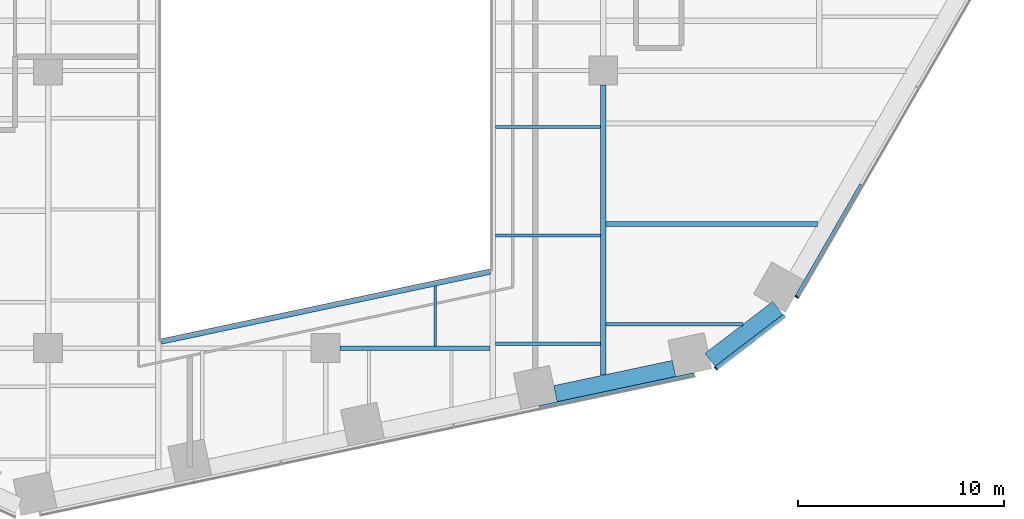
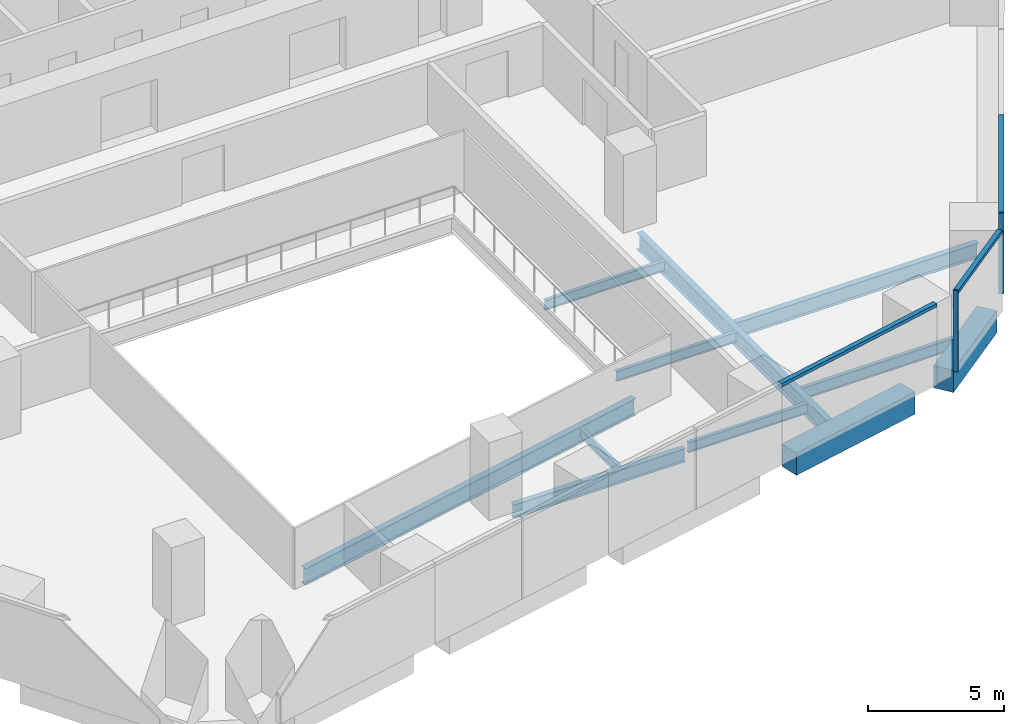
# One storey, part 5 of 21: 11 beams, 5 members, 3 elements without a shape of their own.
"""IFC4 building model written with IfcOpenShell, lengths in metres."""

import ifcopenshell
import ifcopenshell.guid

model = None  # the IFC model being written
_history = None  # IfcOwnerHistory: only IFC2X3 demands one
_inside = {}  # id of a spatial element -> (the spatial element, [elements in it])
_under = {}  # id of a project, library or spatial element -> (it, [spatial elements below it])
_declared = {}  # id of a project -> (the project, [libraries it declares])
_typed = {}  # id of a type object -> (the type object, [elements of that type])
_made_of = {}  # id of a material, layer set ... -> (it, [elements and type objects made of it])


def new_model(schema):
    """Start an empty IFC model of exactly this schema.

    Asked for "IFC4X3", IfcOpenShell would pick the latest addendum, in which some entities
    have other attributes; the version numbers below select the first issue.
    IFC2X3 requires an IfcOwnerHistory on every rooted entity: one is made here for all.
    """
    global model, _history
    if schema == "IFC4X3":
        model = ifcopenshell.file(schema_version=(4, 3, 0, 0))
    else:
        model = ifcopenshell.file(schema=schema)
    _inside.clear()
    _under.clear()
    _declared.clear()
    _typed.clear()
    _made_of.clear()
    _history = None
    if model.schema == "IFC2X3":
        org = make("IfcOrganization", Name="unknown")
        user = make(
            "IfcPersonAndOrganization",
            ThePerson=make("IfcPerson", FamilyName="unknown"),
            TheOrganization=org,
        )
        app = make(
            "IfcApplication",
            ApplicationDeveloper=org,
            Version="unknown",
            ApplicationFullName="unknown",
            ApplicationIdentifier="unknown",
        )
        _history = make(
            "IfcOwnerHistory",
            OwningUser=user,
            OwningApplication=app,
            ChangeAction="ADDED",
            CreationDate=0,
        )
    return model


def make(cls, **values):
    """One entity of the class cls with the attributes given. An attribute that is None is left unset."""
    return model.create_entity(
        cls, **{name: value for name, value in values.items() if value is not None}
    )


def rooted(cls, **values):
    """An entity with a GlobalId (a new one), such as an element, a storey or a relation."""
    return make(cls, GlobalId=ifcopenshell.guid.new(), OwnerHistory=_history, **values)


def si_unit(unit_type, name, prefix=None):
    """IfcSIUnit, for example si_unit("LENGTHUNIT", "METRE", prefix="MILLI")."""
    return make("IfcSIUnit", UnitType=unit_type, Prefix=prefix, Name=name)


def assignment(units):
    """IfcUnitAssignment: the units of a project."""
    return None if units is None else make("IfcUnitAssignment", Units=units)


def point(xyz):
    """IfcCartesianPoint."""
    return None if xyz is None else make("IfcCartesianPoint", Coordinates=xyz)


def direction(xyz):
    """IfcDirection."""
    return None if xyz is None else make("IfcDirection", DirectionRatios=xyz)


def frame(location, z_axis=None, x_axis=None):
    """IfcAxis2Placement3D, a coordinate frame: its origin and axes. An axis left out is left unset."""
    return make(
        "IfcAxis2Placement3D",
        Location=point(location),
        Axis=direction(z_axis),
        RefDirection=direction(x_axis),
    )


def frame_2d(location, x_axis=None):
    """IfcAxis2Placement2D, a coordinate frame in the plane: its origin and x axis."""
    return make(
        "IfcAxis2Placement2D", Location=point(location), RefDirection=direction(x_axis)
    )


def origin():
    """The frame at (0, 0, 0) with its axes left unset."""
    return frame((0.0, 0.0, 0.0))


def origin_2d():
    """The frame at (0, 0) in the plane with its x axis left unset."""
    return frame_2d((0.0, 0.0))


def place(relative_to, where):
    """IfcLocalPlacement: puts the frame where relative to a parent placement (None: the world)."""
    return make(
        "IfcLocalPlacement", PlacementRelTo=relative_to, RelativePlacement=where
    )


def context(
    kind, dimensions, precision=None, world=None, true_north=None, identifier=None
):
    """IfcGeometricRepresentationContext, for example the 3D "Model" context."""
    return make(
        "IfcGeometricRepresentationContext",
        ContextIdentifier=identifier,
        ContextType=kind,
        CoordinateSpaceDimension=dimensions,
        Precision=precision,
        WorldCoordinateSystem=world,
        TrueNorth=true_north,
    )


def subcontext(parent, identifier, kind, view, scale=None):
    """IfcGeometricRepresentationSubContext, for example "Body" below "Model"."""
    return make(
        "IfcGeometricRepresentationSubContext",
        ContextIdentifier=identifier,
        ContextType=kind,
        ParentContext=parent,
        TargetScale=scale,
        TargetView=view,
    )


def project(units=None, contexts=None):
    """IfcProject with its units and contexts."""
    return rooted(
        "IfcProject",
        Name="project",
        RepresentationContexts=contexts,
        UnitsInContext=assignment(units),
    )


def spatial(cls, under=None, at=None, **own):
    """A site, building, storey or space (cls), placed at a placement, below another one or the project."""
    s = rooted(cls, ObjectPlacement=at, **own)
    if under is not None:
        _under.setdefault(under.id(), (under, []))[1].append(s)
    return s


def profile(cls, at=None, kind="AREA", **sizes):
    """A parametric profile (cls). Its sizes go by their IFC names, for example OverallWidth=200.0."""
    return make(cls, ProfileType=kind, Position=at, **sizes)


def rectangle(**sizes):
    """IfcRectangleProfileDef."""
    return profile("IfcRectangleProfileDef", **sizes)


def i_section(**sizes):
    """IfcIShapeProfileDef."""
    return profile("IfcIShapeProfileDef", **sizes)


def extrude(swept, where, along, depth):
    """IfcExtrudedAreaSolid: the profile swept, set in the frame where, extruded along a direction by depth."""
    return make(
        "IfcExtrudedAreaSolid",
        SweptArea=swept,
        Position=where,
        ExtrudedDirection=direction(along),
        Depth=depth,
    )


def shape(context_of_items, identifier, shape_type, items):
    """IfcShapeRepresentation: the items that make up one representation, for example the "Body"."""
    return make(
        "IfcShapeRepresentation",
        ContextOfItems=context_of_items,
        RepresentationIdentifier=identifier,
        RepresentationType=shape_type,
        Items=items,
    )


def material(Name=None, Category=None):
    """IfcMaterial."""
    return make("IfcMaterial", Name=Name, Category=Category)


def layer(
    of_material, thickness, ventilated=None, Name=None, Category=None, Priority=None
):
    """IfcMaterialLayer: one layer of a wall or slab, of a material (None: an air gap)."""
    return make(
        "IfcMaterialLayer",
        Material=of_material,
        LayerThickness=thickness,
        IsVentilated=ventilated,
        Name=Name,
        Category=Category,
        Priority=Priority,
    )


def layer_set(layers, Name=None):
    """IfcMaterialLayerSet."""
    return make("IfcMaterialLayerSet", MaterialLayers=layers, LayerSetName=Name)


def material_profile(
    of_material, cross_section, Name=None, Category=None, Priority=None
):
    """IfcMaterialProfile: a cross section and its material."""
    return make(
        "IfcMaterialProfile",
        Name=Name,
        Material=of_material,
        Profile=cross_section,
        Priority=Priority,
        Category=Category,
    )


def profile_set(profiles, Name=None, composite=None):
    """IfcMaterialProfileSet."""
    return make(
        "IfcMaterialProfileSet",
        Name=Name,
        MaterialProfiles=profiles,
        CompositeProfile=composite,
    )


def made_of(thing, what):
    """Note that an element or type object is made of a material, layer set ...; save() writes the relation."""
    if what is not None:
        _made_of.setdefault(what.id(), (what, []))[1].append(thing)
    return thing


def type_object(cls, material=None, **own):
    """A type object (cls), such as IfcWallType, which elements share."""
    return made_of(rooted(cls, **own), material)


def element(
    cls,
    number,
    at=None,
    inside=None,
    cuts=None,
    type_object=None,
    material=None,
    context=None,
    identifier="Body",
    shape_type=None,
    held_by="IfcProductDefinitionShape",
    body=None,
    shapes=None,
    **own,
):
    """One element of the class cls, such as IfcWall. Its Tag is "e" and its number.

    at: its placement. inside: the storey or other place that contains it. cuts: it is an
    opening in that element (IfcRelVoidsElement). A single representation is given by context,
    identifier, shape_type and body (its items); several are given by shapes. held_by: the class
    of the entity that holds the representations. save() writes the other relations.
    """
    e = rooted(cls, Tag="e%d" % number, ObjectPlacement=at, **own)
    if body is not None:
        shapes = [shape(context, identifier, shape_type, body)]
    if shapes is not None:
        e.Representation = make(held_by, Representations=shapes)
    if inside is not None:
        _inside.setdefault(inside.id(), (inside, []))[1].append(e)
    if cuts is not None:
        rooted(
            "IfcRelVoidsElement", RelatingBuildingElement=cuts, RelatedOpeningElement=e
        )
    if type_object is not None:
        _typed.setdefault(type_object.id(), (type_object, []))[1].append(e)
    return made_of(e, material)


def aggregate(whole, parts):
    """IfcRelAggregates: a whole, such as a stair, and the parts it consists of."""
    return rooted("IfcRelAggregates", RelatingObject=whole, RelatedObjects=parts)


def save(model, path):
    """Write the relations noted so far, then the file.

    IfcRelAggregates (storeys below a building ...), IfcRelContainedInSpatialStructure (elements
    in a storey), IfcRelDefinesByType, IfcRelAssociatesMaterial and IfcRelDeclares: one each for
    every whole, place, type object, material and project.
    """
    for whole, parts in _under.values():
        aggregate(whole, parts)
    for where, things in _inside.values():
        rooted(
            "IfcRelContainedInSpatialStructure",
            RelatedElements=things,
            RelatingStructure=where,
        )
    for kind, things in _typed.values():
        rooted("IfcRelDefinesByType", RelatedObjects=things, RelatingType=kind)
    for what, things in _made_of.values():
        rooted("IfcRelAssociatesMaterial", RelatedObjects=things, RelatingMaterial=what)
    for by, libraries in _declared.values():
        rooted("IfcRelDeclares", RelatingContext=by, RelatedDefinitions=libraries)
    model.write(path)


model = new_model("IFC4")

# Units and contexts
model_context = context("Model", 3, precision=1e-05, world=origin(), true_north=direction((0.0, 1.0)))
body_context = subcontext(model_context, "Body", "Model", "MODEL_VIEW")
ifc_project = project(units=[si_unit("LENGTHUNIT", "METRE"), si_unit("AREAUNIT", "SQUARE_METRE"), si_unit("VOLUMEUNIT", "CUBIC_METRE"), si_unit("PLANEANGLEUNIT", "RADIAN"), si_unit("MASSUNIT", "GRAM", prefix="KILO")], contexts=[model_context])

# Site, building, storey
site_placement = place(None, origin())
site = spatial("IfcSite", under=ifc_project, at=site_placement, CompositionType="ELEMENT")
building_placement = place(site_placement, origin())
building = spatial("IfcBuilding", under=site, at=building_placement, Name="Isthmus Gate Tower", CompositionType="ELEMENT")
storey_placement = place(building_placement, frame((0.0, 0.0, 50.60009765625)))
storey = spatial("IfcBuildingStorey", under=building, at=storey_placement, Name="L10", CompositionType="ELEMENT", Elevation=50.60009765625)

# Curtain wall, member
ifc_material_1 = material(Name="Aluminium, pale champagne anodised", Category="aluminium")
ifc_layer = layer(ifc_material_1, 0.199951171875)
ifc_layer_set = layer_set([ifc_layer], Name="CW-1 UNITISED CURTAIN WALL 200 DEEP")
curtain_wall_type = type_object("IfcCurtainWallType", Name="CW-1 UNITISED CURTAIN WALL 200 DEEP", PredefinedType="NOTDEFINED", material=ifc_layer_set)
curtain_wall_1_placement = place(storey_placement, origin())
curtain_wall_1 = element("IfcCurtainWall", 1, at=curtain_wall_1_placement, inside=storey, type_object=curtain_wall_type, Name="CW-1 S-SE L10", PredefinedType="NOTDEFINED")
ifc_material_2 = material(Name="Aluminium, pale champagne anodised", Category="aluminium")
ifc_material_profile_1 = material_profile(ifc_material_2, rectangle(XDim=0.06005859375, YDim=0.199951171875, at=origin_2d()), Name="60x200")
ifc_profile_set_1 = profile_set([ifc_material_profile_1], Name="Aluminium, pale champagne anodised")
member_type_1 = type_object("IfcMemberType", Name="CW-1 MULLION 60 X 200", PredefinedType="MULLION", material=ifc_profile_set_1)
member_1_placement = place(storey_placement, frame((18.978759765625, -27.982421875, 0.0), z_axis=(0.0, 0.0, 1.0), x_axis=(0.794188594387, 0.607671355706, 0.0)))
member_1 = element("IfcMember", 2, at=member_1_placement, type_object=member_type_1, Name="CW-1 mullion", PredefinedType="MULLION", context=body_context, shape_type="SweptSolid", body=[
    extrude(rectangle(XDim=0.06005859375, YDim=0.199951171875, at=origin_2d()), origin(), (0.0, 0.0, 1.0), 3.64990234375),
])

curtain_wall_2_placement = place(storey_placement, origin())
curtain_wall_2 = element("IfcCurtainWall", 3, at=curtain_wall_2_placement, inside=storey, type_object=curtain_wall_type, Name="CW-1 SE L10", PredefinedType="NOTDEFINED")
member_2_placement = place(storey_placement, frame((22.91357421875, -24.5126953125, 0.0), z_axis=(0.0, 0.0, 1.0), x_axis=(0.5, 0.866025403784, 0.0)))
member_2 = element("IfcMember", 4, at=member_2_placement, type_object=member_type_1, Name="CW-1 mullion", PredefinedType="MULLION", context=body_context, shape_type="SweptSolid", body=[
    extrude(rectangle(XDim=0.06005859375, YDim=0.199951171875, at=origin_2d()), origin(), (0.0, 0.0, 1.0), 3.64990234375),
])

curtain_wall_3_placement = place(storey_placement, origin())
curtain_wall_3 = element("IfcCurtainWall", 5, at=curtain_wall_3_placement, inside=storey, type_object=curtain_wall_type, Name="CW-1 S L10", PredefinedType="NOTDEFINED")
ifc_material_3 = material(Name="Aluminium, pale champagne anodised", Category="aluminium")
ifc_material_profile_2 = material_profile(ifc_material_3, rectangle(XDim=0.199951171875, YDim=0.14990234375, at=origin_2d()), Name="200x150")
ifc_profile_set_2 = profile_set([ifc_material_profile_2], Name="Aluminium, pale champagne anodised")
member_type_2 = type_object("IfcMemberType", Name="CW-1 TRANSOM 200 X 150", PredefinedType="USERDEFINED", material=ifc_profile_set_2)
member_3_placement = place(storey_placement, frame((10.400146484375, -29.8916015625, 3.574951171875), z_axis=(0.978149085817, 0.207904703929, 0.0), x_axis=(-0.207904703929, 0.978149085817, 0.0)))
member_3 = element("IfcMember", 6, at=member_3_placement, type_object=member_type_2, Name="CW-1 transom", ObjectType="TRANSOM", PredefinedType="USERDEFINED", context=body_context, shape_type="SweptSolid", body=[
    extrude(rectangle(XDim=0.199951171875, YDim=0.14990234375, at=origin_2d()), origin(), (0.0, 0.0, 1.0), 7.689208984375),
])
aggregate(curtain_wall_3, [member_3])

# Member
member_4_placement = place(storey_placement, frame((19.002685546875, -27.96435546875, 3.574951171875), z_axis=(0.794175498212, 0.607688471209, 0.0), x_axis=(-0.607688471209, 0.794175498212, 0.0)))
member_4 = element("IfcMember", 7, at=member_4_placement, type_object=member_type_2, Name="CW-1 transom", ObjectType="TRANSOM", PredefinedType="USERDEFINED", context=body_context, shape_type="SweptSolid", body=[
    extrude(rectangle(XDim=0.199951171875, YDim=0.14990234375, at=origin_2d()), origin(), (0.0, 0.0, 1.0), 4.181396484375),
])

aggregate(curtain_wall_1, [member_1, member_4])

member_5_placement = place(storey_placement, frame((22.928466796875, -24.486572265625, 3.574951171875), z_axis=(0.50002426866, 0.866011391814, 0.0), x_axis=(-0.866011391814, 0.50002426866, 0.0)))
member_5 = element("IfcMember", 8, at=member_5_placement, type_object=member_type_2, Name="CW-1 transom", ObjectType="TRANSOM", PredefinedType="USERDEFINED", context=body_context, shape_type="SweptSolid", body=[
    extrude(rectangle(XDim=0.199951171875, YDim=0.14990234375, at=origin_2d()), origin(), (0.0, 0.0, 1.0), 6.278564453125),
])

aggregate(curtain_wall_2, [member_2, member_5])

# Beams
ifc_material_4 = material(Name="Concrete f'c 70 MPa", Category="concrete")
ifc_material_profile_3 = material_profile(ifc_material_4, rectangle(XDim=0.800048828125, YDim=1.0, at=origin_2d()), Name="RC 800X1000")
ifc_profile_set_3 = profile_set([ifc_material_profile_3], Name="Concrete f'c 70 MPa")
beam_type_1 = type_object("IfcBeamType", Name="RC SPANDREL 800 X 1000", PredefinedType="SPANDREL", material=ifc_profile_set_3)
beam_1_placement = place(storey_placement, frame((21.98681640625, -25.051513671875, -0.5), z_axis=(-0.794205941875, -0.607648682949, 0.0), x_axis=(0.607648682949, -0.794205941875, 0.0)))
element("IfcBeam", 9, at=beam_1_placement, inside=storey, type_object=beam_type_1, Name="str-spandrel-L10-09", PredefinedType="SPANDREL", context=body_context, shape_type="SweptSolid", body=[
    extrude(rectangle(XDim=0.800048828125, YDim=1.0, at=origin_2d()), origin(), (0.0, 0.0, 1.0), 4.15234375),
])
beam_2_placement = place(storey_placement, frame((16.937255859375, -27.990966796875, -0.5), z_axis=(-0.97815168619, -0.207892469327, 0.0), x_axis=(0.207892469327, -0.97815168619, 0.0)))
element("IfcBeam", 10, at=beam_2_placement, inside=storey, type_object=beam_type_1, Name="str-spandrel-L10-10", PredefinedType="SPANDREL", context=body_context, shape_type="SweptSolid", body=[
    extrude(rectangle(XDim=0.800048828125, YDim=1.0, at=origin_2d()), origin(), (0.0, 0.0, 1.0), 5.889404296875),
])
ifc_material_5 = material(Name="Structural steel ASTM A992 Gr 50", Category="steel")
ifc_material_profile_4 = material_profile(ifc_material_5, i_section(OverallWidth=0.1396484375, OverallDepth=0.4033203125, WebThickness=0.00634765625, FlangeThickness=0.010986328125, at=origin_2d()), Name="W16X31")
ifc_profile_set_4 = profile_set([ifc_material_profile_4], Name="Structural steel ASTM A992 Gr 50")
beam_type_2 = type_object("IfcBeamType", Name="STEEL FLOOR BEAM W16X31", PredefinedType="JOIST", material=ifc_profile_set_4)
beam_3_placement = place(storey_placement, frame((5.333251953125, -26.8857421875, -0.351806640625), z_axis=(0.0, 1.0, 0.0), x_axis=(-1.0, 0.0, 0.0)))
element("IfcBeam", 11, at=beam_3_placement, inside=storey, type_object=beam_type_2, Name="str-beam-L10-17-00", PredefinedType="JOIST", context=body_context, shape_type="SweptSolid", body=[
    extrude(i_section(OverallWidth=0.1396484375, OverallDepth=0.4033203125, WebThickness=0.00634765625, FlangeThickness=0.010986328125, at=origin_2d()), origin(), (0.0, 0.0, 1.0), 2.903076171875),
])
ifc_material_6 = material(Name="Structural steel ASTM A992 Gr 50", Category="steel")
ifc_material_profile_5 = material_profile(ifc_material_6, i_section(OverallWidth=0.15234375, OverallDepth=0.45068359375, WebThickness=0.0078125, FlangeThickness=0.010986328125, at=origin_2d()), Name="W18X35")
ifc_profile_set_5 = profile_set([ifc_material_profile_5], Name="Structural steel ASTM A992 Gr 50")
beam_type_3 = type_object("IfcBeamType", Name="STEEL FLOOR BEAM W18X35", PredefinedType="JOIST", material=ifc_profile_set_5)
for number, where, z_axis, x_axis, name in (
    (12, (8.263427734375, -26.788818359375, -0.37548828125), (1.0, 0.0, 0.0), (0.0, 1.0, 0.0), "str-beam-L10-22-00"),
    (13, (8.263427734375, -21.51513671875, -0.37548828125), (1.0, 0.0, 0.0), (0.0, 1.0, 0.0), "str-beam-L10-22-01"),
    (14, (8.263427734375, -16.241455078125, -0.37548828125), (1.0, 0.0, 0.0), (0.0, 1.0, 0.0), "str-beam-L10-22-02"),
):
    element("IfcBeam", number, at=place(storey_placement, frame(where, z_axis=z_axis, x_axis=x_axis)), inside=storey, type_object=beam_type_3, Name=name, PredefinedType="JOIST", context=body_context, shape_type="SweptSolid", body=[
        extrude(i_section(OverallWidth=0.15234375, OverallDepth=0.45068359375, WebThickness=0.0078125, FlangeThickness=0.010986328125, at=origin_2d()), origin(), (0.0, 0.0, 1.0), 5.103271484375),
    ])
ifc_material_7 = material(Name="Structural steel ASTM A992 Gr 50", Category="steel")
ifc_material_profile_6 = material_profile(ifc_material_7, i_section(OverallWidth=0.1650390625, OverallDepth=0.52392578125, WebThickness=0.009521484375, FlangeThickness=0.010986328125, at=origin_2d()), Name="W21X44")
ifc_profile_set_6 = profile_set([ifc_material_profile_6], Name="Structural steel ASTM A992 Gr 50")
beam_type_4 = type_object("IfcBeamType", Name="STEEL FLOOR BEAM W21X44", PredefinedType="JOIST", material=ifc_profile_set_6)
beam_4_placement = place(storey_placement, frame((13.63330078125, -25.842529296875, -0.412109375), z_axis=(1.0, 0.0, 0.0), x_axis=(0.0, 1.0, 0.0)))
element("IfcBeam", 15, at=beam_4_placement, inside=storey, type_object=beam_type_4, Name="str-beam-L10-28-00", PredefinedType="JOIST", context=body_context, shape_type="SweptSolid", body=[
    extrude(i_section(OverallWidth=0.1650390625, OverallDepth=0.52392578125, WebThickness=0.009521484375, FlangeThickness=0.010986328125, at=origin_2d()), origin(), (0.0, 0.0, 1.0), 6.661376953125),
])
ifc_material_8 = material(Name="Structural steel ASTM A992 Gr 50", Category="steel")
ifc_material_profile_7 = material_profile(ifc_material_8, i_section(OverallWidth=0.25390625, OverallDepth=0.679443359375, WebThickness=0.010986328125, FlangeThickness=0.015869140625, at=origin_2d()), Name="W27X84")
ifc_profile_set_7 = profile_set([ifc_material_profile_7], Name="Structural steel ASTM A992 Gr 50")
beam_type_5 = type_object("IfcBeamType", Name="STEEL FLOOR BEAM W27X84", PredefinedType="JOIST", material=ifc_profile_set_7)
beam_5_placement = place(storey_placement, frame((13.63330078125, -20.958740234375, -0.48974609375), z_axis=(1.0, 0.0, 0.0), x_axis=(0.0, 1.0, 0.0)))
element("IfcBeam", 16, at=beam_5_placement, inside=storey, type_object=beam_type_5, Name="str-beam-L10-28-01", PredefinedType="JOIST", context=body_context, shape_type="SweptSolid", body=[
    extrude(i_section(OverallWidth=0.25390625, OverallDepth=0.679443359375, WebThickness=0.010986328125, FlangeThickness=0.015869140625, at=origin_2d()), origin(), (0.0, 0.0, 1.0), 10.292724609375),
])
ifc_material_9 = material(Name="Structural steel ASTM A992 Gr 50", Category="steel")
ifc_material_profile_8 = material_profile(ifc_material_9, i_section(OverallWidth=0.228515625, OverallDepth=0.603271484375, WebThickness=0.010986328125, FlangeThickness=0.014404296875, at=origin_2d()), Name="W24X68")
ifc_profile_set_8 = profile_set([ifc_material_profile_8], Name="Structural steel ASTM A992 Gr 50")
beam_type_6 = type_object("IfcBeamType", Name="STEEL GIRDER W24X68", PredefinedType="BEAM", material=ifc_profile_set_8)
beam_6_placement = place(storey_placement, frame((0.699951171875, -27.0, -0.45166015625), z_axis=(1.0, 0.0, 0.0), x_axis=(0.0, 1.0, 0.0)))
element("IfcBeam", 17, at=beam_6_placement, inside=storey, type_object=beam_type_6, Name="str-girder-L10-04", PredefinedType="BEAM", context=body_context, shape_type="SweptSolid", body=[
    extrude(i_section(OverallWidth=0.228515625, OverallDepth=0.603271484375, WebThickness=0.010986328125, FlangeThickness=0.014404296875, at=origin_2d()), origin(), (0.0, 0.0, 1.0), 7.300048828125),
])
ifc_material_10 = material(Name="Structural steel ASTM A992 Gr 50", Category="steel")
ifc_material_profile_9 = material_profile(ifc_material_10, i_section(OverallWidth=0.2666015625, OverallDepth=0.7587890625, WebThickness=0.014404296875, FlangeThickness=0.01904296875, at=origin_2d()), Name="W30X108")
ifc_profile_set_9 = profile_set([ifc_material_profile_9], Name="Structural steel ASTM A992 Gr 50")
beam_type_7 = type_object("IfcBeamType", Name="STEEL GIRDER W30X108", PredefinedType="BEAM", material=ifc_profile_set_9)
beam_7_placement = place(storey_placement, frame((13.5, -28.3125, -0.529541015625), z_axis=(0.0, 1.0, 0.0), x_axis=(-1.0, 0.0, 0.0)))
element("IfcBeam", 18, at=beam_7_placement, inside=storey, type_object=beam_type_7, Name="str-girder-L10-31", PredefinedType="BEAM", context=body_context, shape_type="SweptSolid", body=[
    extrude(i_section(OverallWidth=0.2666015625, OverallDepth=0.7587890625, WebThickness=0.014404296875, FlangeThickness=0.01904296875, at=origin_2d()), origin(), (0.0, 0.0, 1.0), 14.112548828125),
])
ifc_material_11 = material(Name="Structural steel ASTM A992 Gr 50", Category="steel")
ifc_material_profile_10 = material_profile(ifc_material_11, i_section(OverallWidth=0.2666015625, OverallDepth=0.7587890625, WebThickness=0.014404296875, FlangeThickness=0.01904296875, at=origin_2d()), Name="W30X108")
ifc_profile_set_10 = profile_set([ifc_material_profile_10], Name="Structural steel ASTM A992 Gr 50")
beam_type_8 = type_object("IfcBeamType", Name="STEEL TRIMMER W30X108", PredefinedType="BEAM", material=ifc_profile_set_10)
beam_8_placement = place(storey_placement, frame((-8.0, -26.680419921875, -0.529541015625), z_axis=(0.978147924985, 0.20791016533, 0.0), x_axis=(-0.20791016533, 0.978147924985, 0.0)))
element("IfcBeam", 19, at=beam_8_placement, inside=storey, type_object=beam_type_8, Name="str-trimmer-L10-03", PredefinedType="BEAM", context=body_context, shape_type="SweptSolid", body=[
    extrude(i_section(OverallWidth=0.2666015625, OverallDepth=0.7587890625, WebThickness=0.014404296875, FlangeThickness=0.01904296875, at=origin_2d()), origin(), (0.0, 0.0, 1.0), 16.357421875),
])

save(model, "model.ifc")
